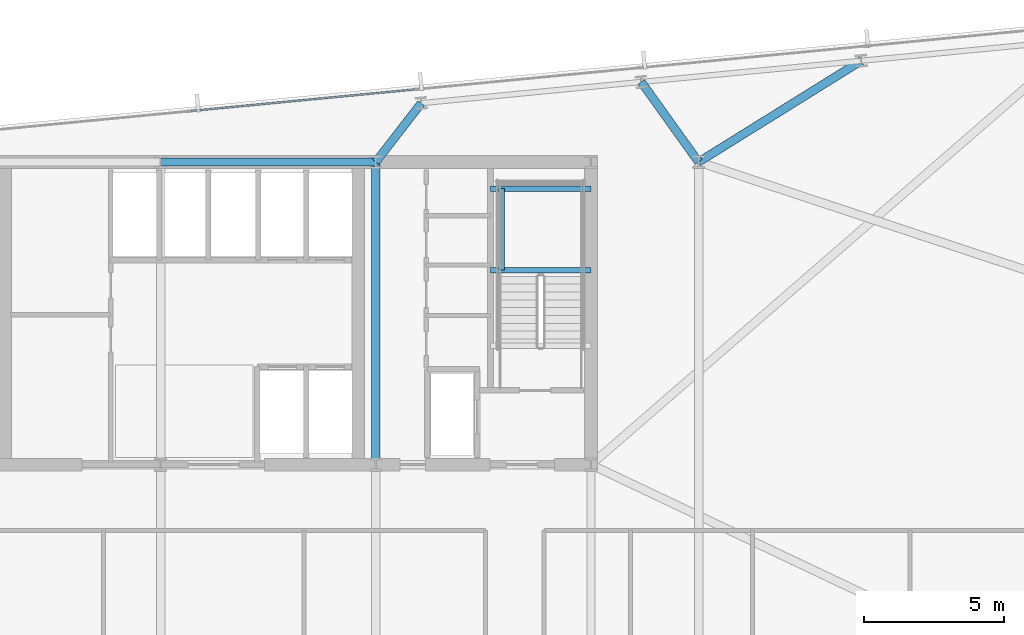
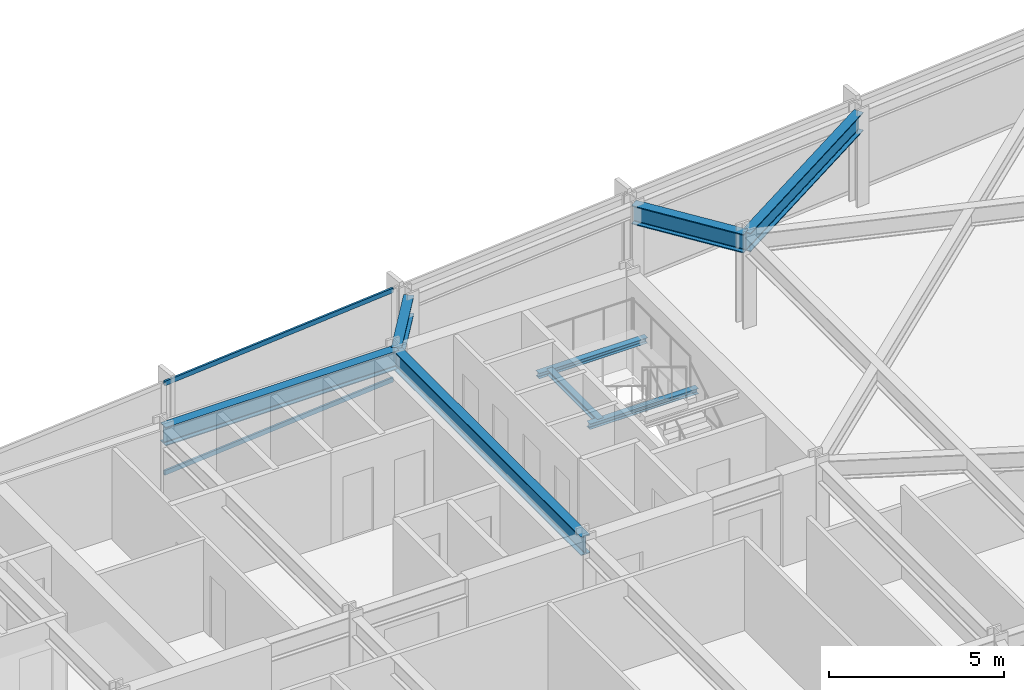
# One storey, part 20 of 33: 8 beams, 2 members, 1 element without a shape of its own.
"""IFC4 building model written with IfcOpenShell, lengths in metres."""

from ifc_helpers import new_model, si_unit, direction, frame, origin, origin_2d, place, context, subcontext, project, spatial, hollow_rectangle, i_section, extrude, material, material_profile, profile_set, type_object, element, aggregate, save


model = new_model("IFC4")

# Units and contexts
model_context = context("Model", 3, precision=1e-05, world=origin(), true_north=direction((0.0, 1.0)))
body_context = subcontext(model_context, "Body", "Model", "MODEL_VIEW")
ifc_project = project(units=[si_unit("LENGTHUNIT", "METRE"), si_unit("AREAUNIT", "SQUARE_METRE"), si_unit("VOLUMEUNIT", "CUBIC_METRE"), si_unit("PLANEANGLEUNIT", "RADIAN"), si_unit("MASSUNIT", "GRAM", prefix="KILO")], contexts=[model_context])

# Site, building, storey
site_placement = place(None, origin())
site = spatial("IfcSite", under=ifc_project, at=site_placement, CompositionType="ELEMENT")
building_placement = place(site_placement, origin())
building = spatial("IfcBuilding", under=site, at=building_placement, Name="Yelkora Congress Tower", CompositionType="ELEMENT")
storey_placement = place(building_placement, frame((0.0, 0.0, 123.699951171875)))
storey = spatial("IfcBuildingStorey", under=building, at=storey_placement, Name="L33", CompositionType="ELEMENT", Elevation=123.699951171875)

# Beams
ifc_material_1 = material(Name="Steel S355J2", Category="steel")
ifc_material_profile_1 = material_profile(ifc_material_1, i_section(OverallWidth=0.300048828125, OverallDepth=0.64990234375, WebThickness=0.01611328125, FlangeThickness=0.031005859375, FilletRadius=0.027099609375, at=origin_2d()), Name="HEB 650")
ifc_profile_set_1 = profile_set([ifc_material_profile_1], Name="Steel S355J2")
beam_type_1 = type_object("IfcBeamType", Name="BM-GIRD-HEB650", PredefinedType="BEAM", material=ifc_profile_set_1)
beam_1_placement = place(storey_placement, frame((38.39990234375, 46.199951171875, 2.85498046875), z_axis=(1.0, 0.0, 0.0), x_axis=(0.0, 1.0, 0.0)))
element("IfcBeam", 1, at=beam_1_placement, inside=storey, type_object=beam_type_1, Name="L33 Core North Girder 4", PredefinedType="BEAM", context=body_context, shape_type="SweptSolid", body=[
    extrude(i_section(OverallWidth=0.300048828125, OverallDepth=0.64990234375, WebThickness=0.01611328125, FlangeThickness=0.031005859375, FilletRadius=0.027099609375, at=origin_2d()), origin(), (0.0, 0.0, 1.0), 7.68017578125),
])
beam_2_placement = place(storey_placement, frame((46.080078125, 35.39990234375, 2.85498046875), z_axis=(0.0, 1.0, 0.0), x_axis=(-1.0, 0.0, 0.0)))
element("IfcBeam", 2, at=beam_2_placement, inside=storey, type_object=beam_type_1, Name="L33 Core Tie Girder MC-S4", PredefinedType="BEAM", context=body_context, shape_type="SweptSolid", body=[
    extrude(i_section(OverallWidth=0.300048828125, OverallDepth=0.64990234375, WebThickness=0.01611328125, FlangeThickness=0.031005859375, FilletRadius=0.027099609375, at=origin_2d()), origin(), (0.0, 0.0, 1.0), 10.800048828125),
])
beam_3_placement = place(storey_placement, frame((47.70458984375, 48.300537109375, 2.85498046875), z_axis=(-0.611761448665, -0.791042306029, 0.0), x_axis=(0.791042306029, -0.611761448665, 0.0)))
element("IfcBeam", 3, at=beam_3_placement, inside=storey, type_object=beam_type_1, Name="L33 Primary Frame Girder N05", PredefinedType="BEAM", context=body_context, shape_type="SweptSolid", body=[
    extrude(i_section(OverallWidth=0.300048828125, OverallDepth=0.64990234375, WebThickness=0.01611328125, FlangeThickness=0.031005859375, FilletRadius=0.027099609375, at=origin_2d()), origin(), (0.0, 0.0, 1.0), 2.655517578125),
])
beam_4_placement = place(storey_placement, frame((55.553955078125, 49.056396484375, 2.85498046875), z_axis=(0.582335305303, -0.81294870207, 0.0), x_axis=(0.81294870207, 0.582335305303, 0.0)))
element("IfcBeam", 4, at=beam_4_placement, inside=storey, type_object=beam_type_1, Name="L33 Primary Frame Girder N06", PredefinedType="BEAM", context=body_context, shape_type="SweptSolid", body=[
    extrude(i_section(OverallWidth=0.300048828125, OverallDepth=0.64990234375, WebThickness=0.01611328125, FlangeThickness=0.031005859375, FilletRadius=0.027099609375, at=origin_2d()), origin(), (0.0, 0.0, 1.0), 3.513671875),
])
beam_5_placement = place(storey_placement, frame((63.4033203125, 49.81201171875, 2.85498046875), z_axis=(-0.848980050527, -0.528424898929, 0.0), x_axis=(0.528424898929, -0.848980050527, 0.0)))
element("IfcBeam", 5, at=beam_5_placement, inside=storey, type_object=beam_type_1, Name="L33 Primary Frame Girder N07", PredefinedType="BEAM", context=body_context, shape_type="SweptSolid", body=[
    extrude(i_section(OverallWidth=0.300048828125, OverallDepth=0.64990234375, WebThickness=0.01611328125, FlangeThickness=0.031005859375, FilletRadius=0.027099609375, at=origin_2d()), origin(), (0.0, 0.0, 1.0), 6.83544921875),
])
ifc_material_profile_2 = material_profile(ifc_material_1, i_section(OverallWidth=0.199951171875, OverallDepth=0.18994140625, WebThickness=0.006591796875, FlangeThickness=0.010009765625, FilletRadius=0.01806640625, at=origin_2d()), Name="HEA 200")
ifc_profile_set_2 = profile_set([ifc_material_profile_2], Name="Steel S355J2")
beam_type_2 = type_object("IfcBeamType", Name="BM-LAND-HEA200", PredefinedType="BEAM", material=ifc_profile_set_2)
for number, where, z_axis, x_axis, name in (
    (6, (50.179931640625, 42.340087890625, 1.384765625), (1.0, 0.0, 0.0), (0.0, 1.0, 0.0), "ST-02 L33 Landing Header Beam 1S"),
    (7, (50.179931640625, 45.25, 1.384765625), (1.0, 0.0, 0.0), (0.0, 1.0, 0.0), "ST-02 L33 Landing Header Beam 1N"),
):
    element("IfcBeam", number, at=place(storey_placement, frame(where, z_axis=z_axis, x_axis=x_axis)), inside=storey, type_object=beam_type_2, Name=name, PredefinedType="BEAM", context=body_context, shape_type="SweptSolid", body=[
        extrude(i_section(OverallWidth=0.199951171875, OverallDepth=0.18994140625, WebThickness=0.006591796875, FlangeThickness=0.010009765625, FilletRadius=0.01806640625, at=origin_2d()), origin(), (0.0, 0.0, 1.0), 3.580078125),
    ])
beam_6_placement = place(storey_placement, frame((50.580078125, 42.340087890625, 1.384765625), z_axis=(0.0, 1.0, 0.0), x_axis=(-1.0, 0.0, 0.0)))
element("IfcBeam", 8, at=beam_6_placement, inside=storey, type_object=beam_type_2, Name="ST-02 L33 Landing Trimmer Beam 1M", PredefinedType="BEAM", context=body_context, shape_type="SweptSolid", body=[
    extrude(i_section(OverallWidth=0.199951171875, OverallDepth=0.18994140625, WebThickness=0.006591796875, FlangeThickness=0.010009765625, FilletRadius=0.01806640625, at=origin_2d()), origin(), (0.0, 0.0, 1.0), 2.909912109375),
])

# Curtain wall, members
ifc_material_2 = material(Name="Anodised aluminium and insulated glass", Category="aluminium")
curtain_wall_type = type_object("IfcCurtainWallType", Name="CW-SYS-B2", PredefinedType="NOTDEFINED", material=ifc_material_2)
curtain_wall_placement = place(storey_placement, origin())
curtain_wall = element("IfcCurtainWall", 9, at=curtain_wall_placement, inside=storey, type_object=curtain_wall_type, Name="L33 Unitised Curtain Wall 10 (3)", PredefinedType="NOTDEFINED")
ifc_material_3 = material(Name="Anodised aluminium 6063-T6", Category="aluminium")
ifc_material_profile_3 = material_profile(ifc_material_3, hollow_rectangle(XDim=0.06494140625, YDim=0.159912109375, WallThickness=0.00390625, at=origin_2d()), Name="ALU 65x160x4")
ifc_profile_set_3 = profile_set([ifc_material_profile_3], Name="Anodised aluminium 6063-T6")
member_type = type_object("IfcMemberType", Name="MEM-TR-B2", PredefinedType="USERDEFINED", material=ifc_profile_set_3)
member_1_placement = place(storey_placement, frame((39.48681640625, 48.021728515625, 0.032470703125), z_axis=(0.995397513894, 0.095832089266, 0.0), x_axis=(-0.095832089266, 0.995397513894, 0.0)))
member_1 = element("IfcMember", 10, at=member_1_placement, type_object=member_type, Name="CW-B2 transom 3.1", ObjectType="TRANSOM", PredefinedType="USERDEFINED", context=body_context, shape_type="SweptSolid", body=[
    extrude(hollow_rectangle(XDim=0.06494140625, YDim=0.159912109375, WallThickness=0.00390625, at=origin_2d()), origin(), (0.0, 0.0, 1.0), 8.007080078125),
])
member_2_placement = place(storey_placement, frame((39.48681640625, 48.021728515625, 3.1474609375), z_axis=(0.995397513894, 0.095832089266, 0.0), x_axis=(-0.095832089266, 0.995397513894, 0.0)))
member_2 = element("IfcMember", 11, at=member_2_placement, type_object=member_type, Name="CW-B2 transom 3.2", ObjectType="TRANSOM", PredefinedType="USERDEFINED", context=body_context, shape_type="SweptSolid", body=[
    extrude(hollow_rectangle(XDim=0.06494140625, YDim=0.159912109375, WallThickness=0.00390625, at=origin_2d()), origin(), (0.0, 0.0, 1.0), 8.007080078125),
])
aggregate(curtain_wall, [member_1, member_2])

save(model, "model.ifc")
